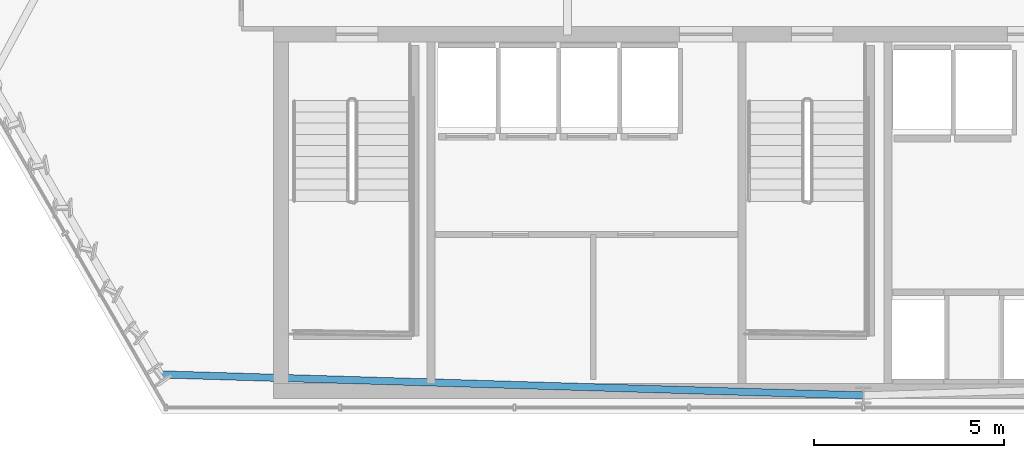
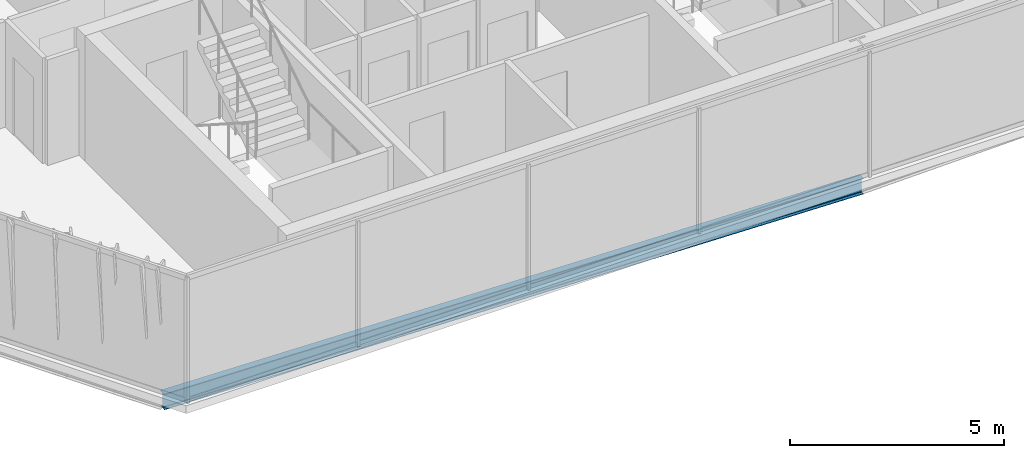
# One storey, part 3 of 33: 1 beam.
"""IFC4 building model written with IfcOpenShell, lengths in metres."""

from ifc_helpers import new_model, si_unit, direction, frame, origin, origin_2d, place, context, subcontext, project, spatial, i_section, extrude, material, material_profile, profile_set, type_object, element, save


model = new_model("IFC4")

# Units and contexts
model_context = context("Model", 3, precision=1e-05, world=origin(), true_north=direction((0.0, 1.0)))
body_context = subcontext(model_context, "Body", "Model", "MODEL_VIEW")
ifc_project = project(units=[si_unit("LENGTHUNIT", "METRE"), si_unit("AREAUNIT", "SQUARE_METRE"), si_unit("VOLUMEUNIT", "CUBIC_METRE"), si_unit("PLANEANGLEUNIT", "RADIAN"), si_unit("MASSUNIT", "GRAM", prefix="KILO")], contexts=[model_context])

# Site, building, storey
site_placement = place(None, origin())
site = spatial("IfcSite", under=ifc_project, at=site_placement, CompositionType="ELEMENT")
building_placement = place(site_placement, origin())
building = spatial("IfcBuilding", under=site, at=building_placement, Name="Ndaravel Arena Tower", CompositionType="ELEMENT")
storey_placement = place(building_placement, frame((0.0, 0.0, 168.800048828125)))
storey = spatial("IfcBuildingStorey", under=building, at=storey_placement, Name="L40", CompositionType="ELEMENT", Elevation=168.800048828125)

# Beam
ifc_material = material(Name="Steel S355", Category="steel")
ifc_material_profile = material_profile(ifc_material, i_section(OverallWidth=0.18994140625, OverallDepth=0.449951171875, WebThickness=0.009521484375, FlangeThickness=0.0146484375, FilletRadius=0.02099609375, at=origin_2d()), Name="IPE 450")
ifc_profile_set = profile_set([ifc_material_profile], Name="Steel S355")
beam_type = type_object("IfcBeamType", Name="BM-SPAN-IPE450", PredefinedType="SPANDREL", material=ifc_profile_set)
beam_placement = place(storey_placement, frame((23.47412109375, 6.0341796875, -0.445068359375), z_axis=(0.999552850435, -0.029901491401, 0.0), x_axis=(0.029901491401, 0.999552850435, 0.0)))
element("IfcBeam", 1, at=beam_placement, inside=storey, type_object=beam_type, Name="L40 Perimeter Spandrel Beam SP-27", PredefinedType="SPANDREL", context=body_context, shape_type="SweptSolid", body=[
    extrude(i_section(OverallWidth=0.18994140625, OverallDepth=0.449951171875, WebThickness=0.009521484375, FlangeThickness=0.0146484375, FilletRadius=0.02099609375, at=origin_2d()), origin(), (0.0, 0.0, 1.0), 18.5341796875),
])

save(model, "model.ifc")
